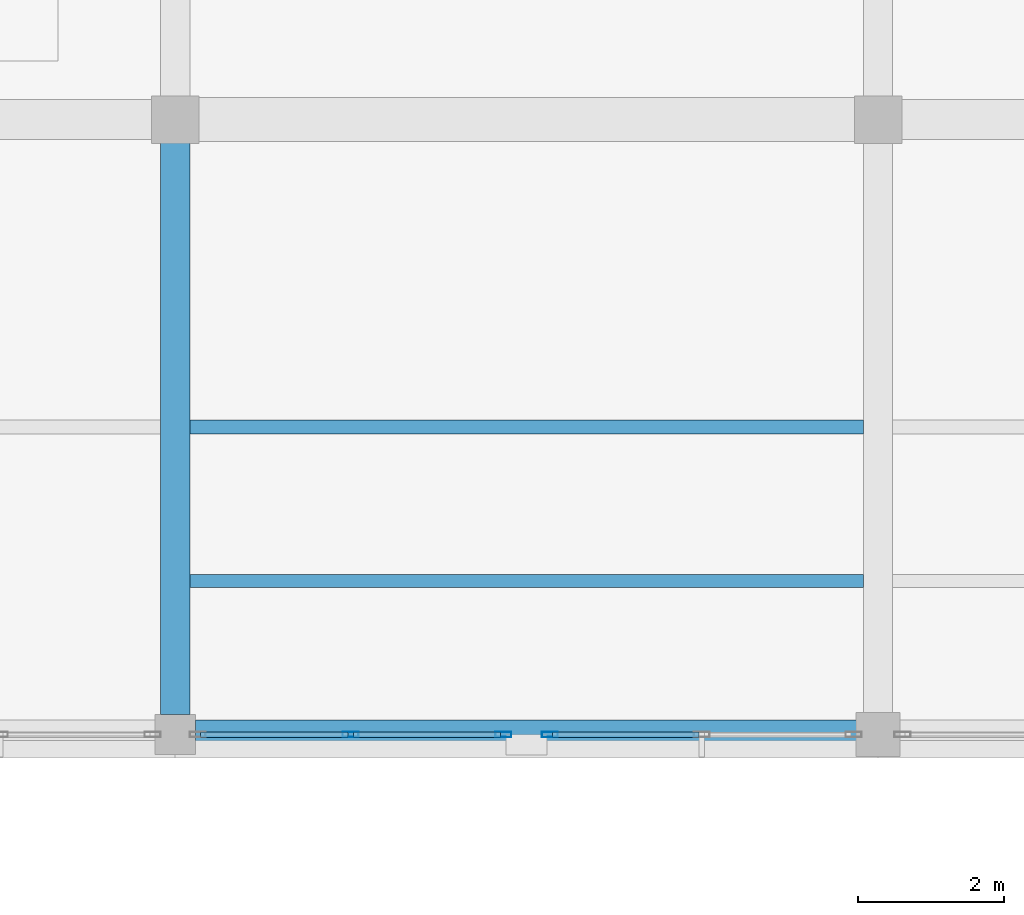
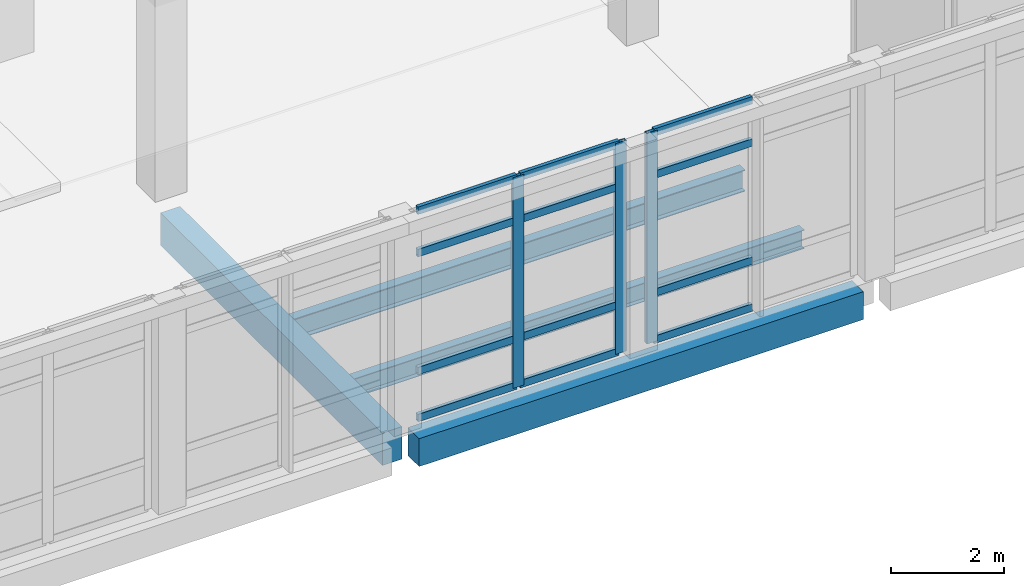
# One storey, part 30 of 88: 15 members, 4 beams, 2 elements without a shape of their own.
"""IFC4 building model written with IfcOpenShell, lengths in metres."""

from ifc_helpers import new_model, si_unit, direction, frame, origin, origin_2d, place, context, subcontext, project, spatial, rectangle, hollow_rectangle, i_section, extrude, material, layer, layer_set, material_profile, profile_set, type_object, element, aggregate, save


model = new_model("IFC4")

# Units and contexts
model_context = context("Model", 3, precision=1e-05, world=origin(), true_north=direction((0.0, 1.0)))
body_context = subcontext(model_context, "Body", "Model", "MODEL_VIEW")
ifc_project = project(units=[si_unit("LENGTHUNIT", "METRE"), si_unit("AREAUNIT", "SQUARE_METRE"), si_unit("VOLUMEUNIT", "CUBIC_METRE"), si_unit("PLANEANGLEUNIT", "RADIAN"), si_unit("MASSUNIT", "GRAM", prefix="KILO")], contexts=[model_context])

# Site, building, storey
site_placement = place(None, origin())
site = spatial("IfcSite", under=ifc_project, at=site_placement, CompositionType="ELEMENT")
building_placement = place(site_placement, origin())
building = spatial("IfcBuilding", under=site, at=building_placement, Name="Lornevale Opera House", CompositionType="ELEMENT")
storey_placement = place(building_placement, frame((0.0, 0.0, 10.199951171875)))
storey = spatial("IfcBuildingStorey", under=building, at=storey_placement, Name="L03", CompositionType="ELEMENT", Elevation=10.199951171875)

# Beams
ifc_material_1 = material(Name="Concrete 35 MPa (CSA A23.1 N)", Category="concrete")
ifc_material_profile_1 = material_profile(ifc_material_1, rectangle(XDim=0.39990234375, YDim=0.699951171875, at=origin_2d()), Name="RC400x700")
ifc_profile_set_1 = profile_set([ifc_material_profile_1], Name="Concrete 35 MPa (CSA A23.1 N)")
beam_type_1 = type_object("IfcBeamType", Name="Concrete Floor Beam 400x700", PredefinedType="USERDEFINED", material=ifc_profile_set_1)
beam_1_placement = place(storey_placement, frame((105.60009765625, 17.074951171875, -0.6298828125), z_axis=(0.0, 1.0, 0.0), x_axis=(-1.0, 0.0, 0.0)))
element("IfcBeam", 1, at=beam_1_placement, inside=storey, type_object=beam_type_1, Name="Concrete Floor Beam 400x700 2311", ObjectType="GIRDER", PredefinedType="USERDEFINED", context=body_context, shape_type="SweptSolid", body=[
    extrude(rectangle(XDim=0.39990234375, YDim=0.699951171875, at=origin_2d()), origin(), (0.0, 0.0, 1.0), 7.824951171875),
])
ifc_material_profile_2 = material_profile(ifc_material_1, rectangle(XDim=0.39990234375, YDim=0.60009765625, at=origin_2d()), Name="RC400x600")
ifc_profile_set_2 = profile_set([ifc_material_profile_2], Name="Concrete 35 MPa (CSA A23.1 N)")
beam_type_2 = type_object("IfcBeamType", Name="Concrete Spandrel Beam 400x600", PredefinedType="SPANDREL", material=ifc_profile_set_2)
beam_2_placement = place(storey_placement, frame((105.875, 16.800048828125, -0.579833984375), z_axis=(1.0, 0.0, 0.0), x_axis=(0.0, 1.0, 0.0)))
element("IfcBeam", 2, at=beam_2_placement, inside=storey, type_object=beam_type_2, Name="Concrete Spandrel Beam 400x600 2099", PredefinedType="SPANDREL", context=body_context, shape_type="SweptSolid", body=[
    extrude(rectangle(XDim=0.39990234375, YDim=0.60009765625, at=origin_2d()), origin(), (0.0, 0.0, 1.0), 9.050048828125),
])
ifc_material_2 = material(Name="Structural Steel CSA G40.21 Grade 350W (350 MPa)", Category="steel")
ifc_material_profile_3 = material_profile(ifc_material_2, i_section(OverallWidth=0.177001953125, OverallDepth=0.403076171875, WebThickness=0.007568359375, FlangeThickness=0.010986328125, at=origin_2d()), Name="W410x54")
ifc_profile_set_3 = profile_set([ifc_material_profile_3], Name="Structural Steel CSA G40.21 Grade 350W (350 MPa)")
beam_type_3 = type_object("IfcBeamType", Name="Conservatory Joist W410x54", PredefinedType="JOIST", material=ifc_profile_set_3)
beam_3_placement = place(storey_placement, frame((105.64990234375, 18.89990234375, -0.52001953125), z_axis=(1.0, 0.0, 0.0), x_axis=(0.0, 1.0, 0.0)))
element("IfcBeam", 3, at=beam_3_placement, inside=storey, type_object=beam_type_3, Name="Conservatory Joist W410x54 3044", PredefinedType="JOIST", context=body_context, shape_type="SweptSolid", body=[
    extrude(i_section(OverallWidth=0.177001953125, OverallDepth=0.403076171875, WebThickness=0.007568359375, FlangeThickness=0.010986328125, at=origin_2d()), origin(), (0.0, 0.0, 1.0), 9.35009765625),
])

# Curtain wall, member
ifc_material_3 = material(Name="Anodized Oxide-Green Aluminium Framing", Category="aluminium")
ifc_layer = layer(ifc_material_3, 0.219970703125)
ifc_layer_set = layer_set([ifc_layer], Name="Anodized Oxide-Green Aluminium Framing")
curtain_wall_type = type_object("IfcCurtainWallType", Name="Winter-Garden Curtain Wall M1900", PredefinedType="NOTDEFINED", material=ifc_layer_set)
curtain_wall_1_placement = place(storey_placement, origin())
curtain_wall_1 = element("IfcCurtainWall", 4, at=curtain_wall_1_placement, inside=storey, type_object=curtain_wall_type, Name="Winter-Garden Curtain Wall M1900 CW-141", PredefinedType="NOTDEFINED")
ifc_material_profile_4 = material_profile(ifc_material_3, hollow_rectangle(XDim=0.074951171875, YDim=0.219970703125, WallThickness=0.0048828125, at=origin_2d()), Name="ALU75x220x5")
ifc_profile_set_4 = profile_set([ifc_material_profile_4], Name="Anodized Oxide-Green Aluminium Framing")
member_type_1 = type_object("IfcMemberType", Name="Curtain Wall Mullion 75x220", PredefinedType="MULLION", material=ifc_profile_set_4)
member_1_placement = place(storey_placement, frame((110.717529296875, 16.800048828125, 0.0), z_axis=(0.0, 0.0, 1.0), x_axis=(0.0, -1.0, 0.0)))
member_1 = element("IfcMember", 5, at=member_1_placement, type_object=member_type_1, Name="Curtain Wall Mullion 75x220 CW2951", PredefinedType="MULLION", context=body_context, shape_type="SweptSolid", body=[
    extrude(hollow_rectangle(XDim=0.074951171875, YDim=0.219970703125, WallThickness=0.0048828125, at=origin_2d()), origin(), (0.0, 0.0, 1.0), 4.5400390625),
])

# Curtain wall, members
curtain_wall_2_placement = place(storey_placement, origin())
curtain_wall_2 = element("IfcCurtainWall", 6, at=curtain_wall_2_placement, inside=storey, type_object=curtain_wall_type, Name="Winter-Garden Curtain Wall M1900 CW-142", PredefinedType="NOTDEFINED")
member_2_placement = place(storey_placement, frame((110.08251953125, 16.800048828125, 0.0), z_axis=(0.0, 0.0, 1.0), x_axis=(0.0, -1.0, 0.0)))
member_2 = element("IfcMember", 7, at=member_2_placement, type_object=member_type_1, Name="Curtain Wall Mullion 75x220 CW2966", PredefinedType="MULLION", context=body_context, shape_type="SweptSolid", body=[
    extrude(hollow_rectangle(XDim=0.074951171875, YDim=0.219970703125, WallThickness=0.0048828125, at=origin_2d()), origin(), (0.0, 0.0, 1.0), 4.5400390625),
])
member_3_placement = place(storey_placement, frame((107.99560546875, 16.800048828125, 0.0), z_axis=(0.0, 0.0, 1.0), x_axis=(0.0, -1.0, 0.0)))
member_3 = element("IfcMember", 8, at=member_3_placement, type_object=member_type_1, Name="Curtain Wall Mullion 75x220 CW2967", PredefinedType="MULLION", context=body_context, shape_type="SweptSolid", body=[
    extrude(hollow_rectangle(XDim=0.074951171875, YDim=0.219970703125, WallThickness=0.0048828125, at=origin_2d()), origin(), (0.0, 0.0, 1.0), 4.5400390625),
])

# Member
ifc_material_profile_5 = material_profile(ifc_material_3, hollow_rectangle(XDim=0.074951171875, YDim=0.159912109375, WallThickness=0.0048828125, at=origin_2d()), Name="ALU75x160x5")
ifc_profile_set_5 = profile_set([ifc_material_profile_5], Name="Anodized Oxide-Green Aluminium Framing")
member_type_2 = type_object("IfcMemberType", Name="Curtain Wall Transom 75x160", PredefinedType="USERDEFINED", material=ifc_profile_set_5)
member_4_placement = place(storey_placement, frame((112.75439453125, 16.800048828125, 0.03759765625), z_axis=(-1.0, 0.0, 0.0), x_axis=(0.0, -1.0, 0.0)))
member_4 = element("IfcMember", 9, at=member_4_placement, type_object=member_type_2, Name="Curtain Wall Transom 75x160 CW2959", ObjectType="TRANSOM", PredefinedType="USERDEFINED", context=body_context, shape_type="SweptSolid", body=[
    extrude(hollow_rectangle(XDim=0.074951171875, YDim=0.159912109375, WallThickness=0.0048828125, at=origin_2d()), origin(), (0.0, 0.0, 1.0), 1.99951171875),
])

member_5_placement = place(storey_placement, frame((112.75439453125, 16.800048828125, 1.050048828125), z_axis=(-1.0, 0.0, 0.0), x_axis=(0.0, -1.0, 0.0)))
member_5 = element("IfcMember", 10, at=member_5_placement, type_object=member_type_2, Name="Curtain Wall Transom 75x160 CW2960", ObjectType="TRANSOM", PredefinedType="USERDEFINED", context=body_context, shape_type="SweptSolid", body=[
    extrude(hollow_rectangle(XDim=0.074951171875, YDim=0.159912109375, WallThickness=0.0048828125, at=origin_2d()), origin(), (0.0, 0.0, 1.0), 1.99951171875),
])

member_6_placement = place(storey_placement, frame((112.75439453125, 16.800048828125, 3.590087890625), z_axis=(-1.0, 0.0, 0.0), x_axis=(0.0, -1.0, 0.0)))
member_6 = element("IfcMember", 11, at=member_6_placement, type_object=member_type_2, Name="Curtain Wall Transom 75x160 CW2961", ObjectType="TRANSOM", PredefinedType="USERDEFINED", context=body_context, shape_type="SweptSolid", body=[
    extrude(hollow_rectangle(XDim=0.074951171875, YDim=0.159912109375, WallThickness=0.0048828125, at=origin_2d()), origin(), (0.0, 0.0, 1.0), 1.99951171875),
])

member_7_placement = place(storey_placement, frame((112.75439453125, 16.800048828125, 4.50244140625), z_axis=(-1.0, 0.0, 0.0), x_axis=(0.0, -1.0, 0.0)))
member_7 = element("IfcMember", 12, at=member_7_placement, type_object=member_type_2, Name="Curtain Wall Transom 75x160 CW2962", ObjectType="TRANSOM", PredefinedType="USERDEFINED", context=body_context, shape_type="SweptSolid", body=[
    extrude(hollow_rectangle(XDim=0.074951171875, YDim=0.159912109375, WallThickness=0.0048828125, at=origin_2d()), origin(), (0.0, 0.0, 1.0), 1.99951171875),
])

aggregate(curtain_wall_1, [member_1, member_4, member_5, member_6, member_7])

member_8_placement = place(storey_placement, frame((110.044921875, 16.800048828125, 0.03759765625), z_axis=(-1.0, 0.0, 0.0), x_axis=(0.0, -1.0, 0.0)))
member_8 = element("IfcMember", 13, at=member_8_placement, type_object=member_type_2, Name="Curtain Wall Transom 75x160 CW2969", ObjectType="TRANSOM", PredefinedType="USERDEFINED", context=body_context, shape_type="SweptSolid", body=[
    extrude(hollow_rectangle(XDim=0.074951171875, YDim=0.159912109375, WallThickness=0.0048828125, at=origin_2d()), origin(), (0.0, 0.0, 1.0), 2.011962890625),
])

member_9_placement = place(storey_placement, frame((110.044921875, 16.800048828125, 1.050048828125), z_axis=(-1.0, 0.0, 0.0), x_axis=(0.0, -1.0, 0.0)))
member_9 = element("IfcMember", 14, at=member_9_placement, type_object=member_type_2, Name="Curtain Wall Transom 75x160 CW2970", ObjectType="TRANSOM", PredefinedType="USERDEFINED", context=body_context, shape_type="SweptSolid", body=[
    extrude(hollow_rectangle(XDim=0.074951171875, YDim=0.159912109375, WallThickness=0.0048828125, at=origin_2d()), origin(), (0.0, 0.0, 1.0), 2.011962890625),
])

member_10_placement = place(storey_placement, frame((110.044921875, 16.800048828125, 3.590087890625), z_axis=(-1.0, 0.0, 0.0), x_axis=(0.0, -1.0, 0.0)))
member_10 = element("IfcMember", 15, at=member_10_placement, type_object=member_type_2, Name="Curtain Wall Transom 75x160 CW2971", ObjectType="TRANSOM", PredefinedType="USERDEFINED", context=body_context, shape_type="SweptSolid", body=[
    extrude(hollow_rectangle(XDim=0.074951171875, YDim=0.159912109375, WallThickness=0.0048828125, at=origin_2d()), origin(), (0.0, 0.0, 1.0), 2.011962890625),
])

member_11_placement = place(storey_placement, frame((110.044921875, 16.800048828125, 4.50244140625), z_axis=(-1.0, 0.0, 0.0), x_axis=(0.0, -1.0, 0.0)))
member_11 = element("IfcMember", 16, at=member_11_placement, type_object=member_type_2, Name="Curtain Wall Transom 75x160 CW2972", ObjectType="TRANSOM", PredefinedType="USERDEFINED", context=body_context, shape_type="SweptSolid", body=[
    extrude(hollow_rectangle(XDim=0.074951171875, YDim=0.159912109375, WallThickness=0.0048828125, at=origin_2d()), origin(), (0.0, 0.0, 1.0), 2.011962890625),
])

member_12_placement = place(storey_placement, frame((107.9580078125, 16.800048828125, 0.03759765625), z_axis=(-1.0, 0.0, 0.0), x_axis=(0.0, -1.0, 0.0)))
member_12 = element("IfcMember", 17, at=member_12_placement, type_object=member_type_2, Name="Curtain Wall Transom 75x160 CW2976", ObjectType="TRANSOM", PredefinedType="USERDEFINED", context=body_context, shape_type="SweptSolid", body=[
    extrude(hollow_rectangle(XDim=0.074951171875, YDim=0.159912109375, WallThickness=0.0048828125, at=origin_2d()), origin(), (0.0, 0.0, 1.0), 2.011962890625),
])

member_13_placement = place(storey_placement, frame((107.9580078125, 16.800048828125, 1.050048828125), z_axis=(-1.0, 0.0, 0.0), x_axis=(0.0, -1.0, 0.0)))
member_13 = element("IfcMember", 18, at=member_13_placement, type_object=member_type_2, Name="Curtain Wall Transom 75x160 CW2977", ObjectType="TRANSOM", PredefinedType="USERDEFINED", context=body_context, shape_type="SweptSolid", body=[
    extrude(hollow_rectangle(XDim=0.074951171875, YDim=0.159912109375, WallThickness=0.0048828125, at=origin_2d()), origin(), (0.0, 0.0, 1.0), 2.011962890625),
])

member_14_placement = place(storey_placement, frame((107.9580078125, 16.800048828125, 3.590087890625), z_axis=(-1.0, 0.0, 0.0), x_axis=(0.0, -1.0, 0.0)))
member_14 = element("IfcMember", 19, at=member_14_placement, type_object=member_type_2, Name="Curtain Wall Transom 75x160 CW2978", ObjectType="TRANSOM", PredefinedType="USERDEFINED", context=body_context, shape_type="SweptSolid", body=[
    extrude(hollow_rectangle(XDim=0.074951171875, YDim=0.159912109375, WallThickness=0.0048828125, at=origin_2d()), origin(), (0.0, 0.0, 1.0), 2.011962890625),
])

member_15_placement = place(storey_placement, frame((107.9580078125, 16.800048828125, 4.50244140625), z_axis=(-1.0, 0.0, 0.0), x_axis=(0.0, -1.0, 0.0)))
member_15 = element("IfcMember", 20, at=member_15_placement, type_object=member_type_2, Name="Curtain Wall Transom 75x160 CW2979", ObjectType="TRANSOM", PredefinedType="USERDEFINED", context=body_context, shape_type="SweptSolid", body=[
    extrude(hollow_rectangle(XDim=0.074951171875, YDim=0.159912109375, WallThickness=0.0048828125, at=origin_2d()), origin(), (0.0, 0.0, 1.0), 2.011962890625),
])

aggregate(curtain_wall_2, [member_2, member_3, member_8, member_9, member_10, member_11, member_12, member_13, member_14, member_15])

# Beam
ifc_material_profile_6 = material_profile(ifc_material_2, i_section(OverallWidth=0.19189453125, OverallDepth=0.462890625, WebThickness=0.010498046875, FlangeThickness=0.017578125, at=origin_2d()), Name="W460x89")
ifc_profile_set_6 = profile_set([ifc_material_profile_6], Name="Structural Steel CSA G40.21 Grade 350W (350 MPa)")
beam_type_4 = type_object("IfcBeamType", Name="Steel Floor Joist W460x89", PredefinedType="JOIST", material=ifc_profile_set_6)
beam_4_placement = place(storey_placement, frame((105.800048828125, 21.0, -0.5263671875), z_axis=(1.0, 0.0, 0.0), x_axis=(0.0, 1.0, 0.0)))
element("IfcBeam", 21, at=beam_4_placement, inside=storey, type_object=beam_type_4, Name="Steel Floor Joist W460x89 2423", PredefinedType="JOIST", context=body_context, shape_type="SweptSolid", body=[
    extrude(i_section(OverallWidth=0.19189453125, OverallDepth=0.462890625, WebThickness=0.010498046875, FlangeThickness=0.017578125, at=origin_2d()), origin(), (0.0, 0.0, 1.0), 9.199951171875),
])

save(model, "model.ifc")
